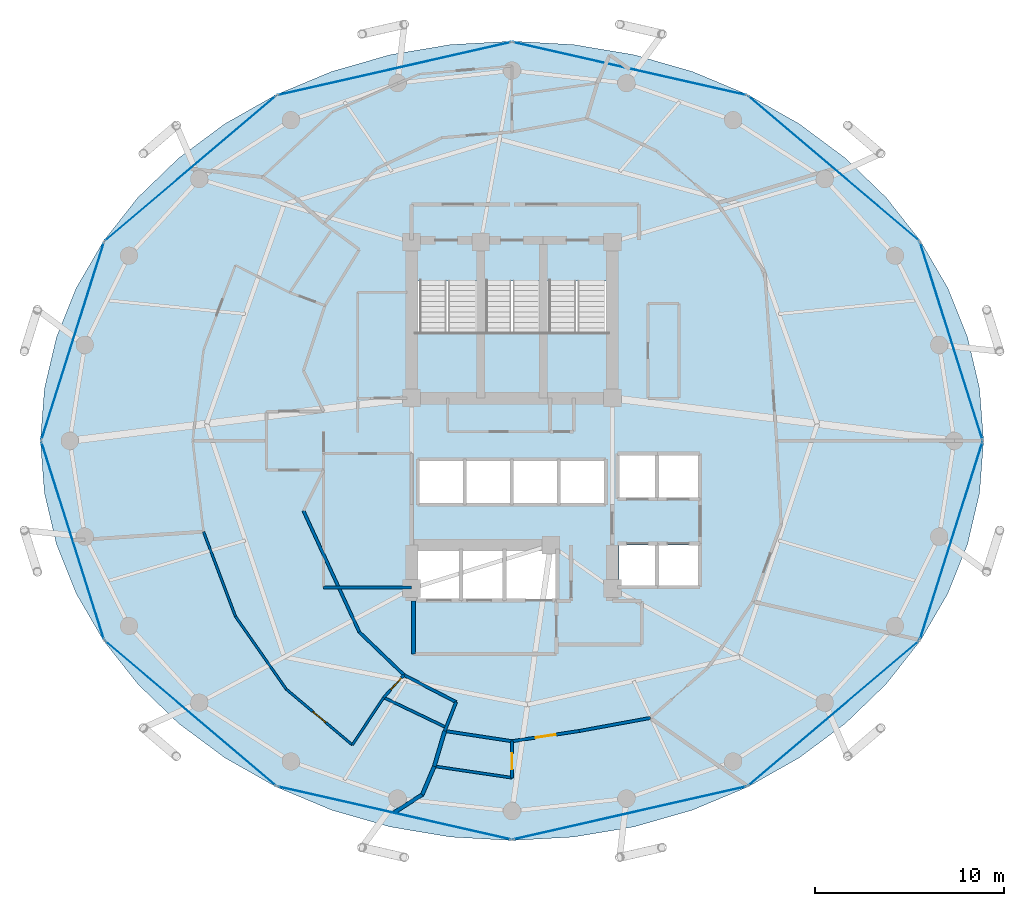
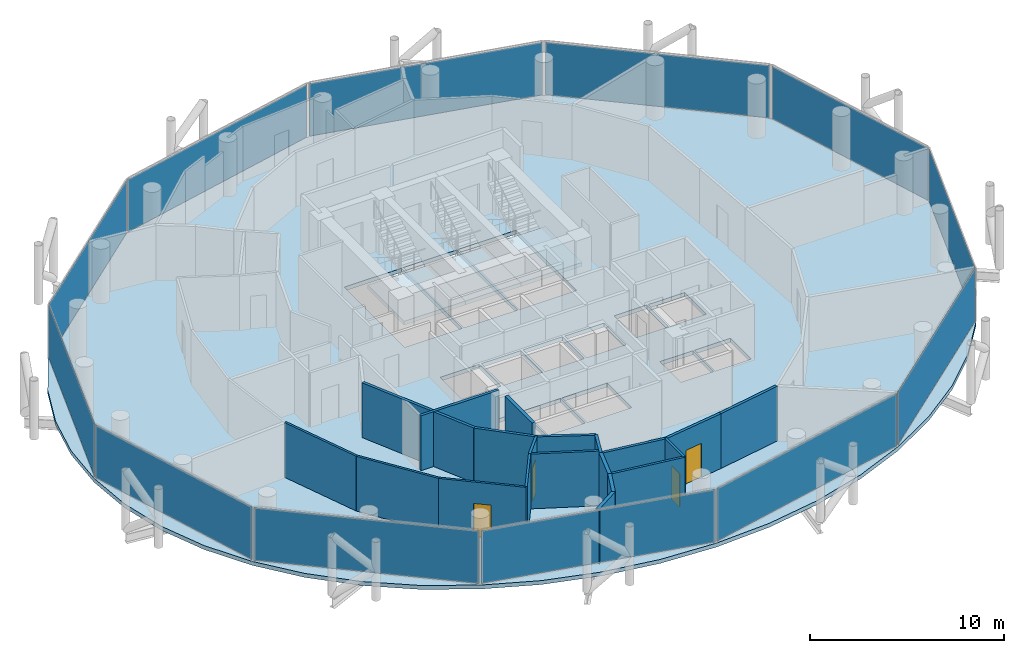
# One storey, part 21 of 26: 20 walls, 12 plates, 4 doors, 4 slabs, 4 openings, 15 elements without a shape of their own.
"""IFC4 building model written with IfcOpenShell, lengths in metres."""

from ifc_helpers import new_model, si_unit, direction, frame, frame_2d, origin, origin_2d, place, context, subcontext, project, spatial, polyline, rectangle, outline, extrude, material, layer, layer_set, type_object, element, fill, aggregate, save


model = new_model("IFC4")

# Units and contexts
model_context = context("Model", 3, precision=1e-05, world=origin(), true_north=direction((0.0, 1.0)))
body_context = subcontext(model_context, "Body", "Model", "MODEL_VIEW")
ifc_project = project(units=[si_unit("LENGTHUNIT", "METRE"), si_unit("AREAUNIT", "SQUARE_METRE"), si_unit("VOLUMEUNIT", "CUBIC_METRE"), si_unit("PLANEANGLEUNIT", "RADIAN"), si_unit("MASSUNIT", "GRAM", prefix="KILO")], contexts=[model_context])

# Site, building, storey
site_placement = place(None, origin())
site = spatial("IfcSite", under=ifc_project, at=site_placement, CompositionType="ELEMENT")
building_placement = place(site_placement, origin())
building = spatial("IfcBuilding", under=site, at=building_placement, Name="Nuhasar Tower", CompositionType="ELEMENT")
storey_placement = place(building_placement, frame((0.0, 0.0, 151.550048828125)))
storey = spatial("IfcBuildingStorey", under=building, at=storey_placement, Name="L36", CompositionType="ELEMENT", Elevation=151.550048828125)

# Curtain wall, plate
ifc_material_1 = material(Name="Aluminium 6063-T6", Category="aluminium")
ifc_layer_1 = layer(ifc_material_1, 0.199951171875)
ifc_layer_set_1 = layer_set([ifc_layer_1], Name="Aluminium 6063-T6")
curtain_wall_type = type_object("IfcCurtainWallType", Name="CW-Z2-HTL", PredefinedType="NOTDEFINED", material=ifc_layer_set_1)
curtain_wall_1_placement = place(storey_placement, origin())
curtain_wall_1 = element("IfcCurtainWall", 1, at=curtain_wall_1_placement, inside=storey, type_object=curtain_wall_type, Name="L36 Unitised Curtain Wall 01", PredefinedType="NOTDEFINED")
ifc_material_2 = material(Name="Glass Double Low-E", Category="glass")
ifc_layer_2 = layer(ifc_material_2, 0.028076171875)
ifc_layer_set_2 = layer_set([ifc_layer_2], Name="Glass Double Low-E")
plate_type = type_object("IfcPlateType", Name="CW-PANEL-GLZ", PredefinedType="CURTAIN_PANEL", material=ifc_layer_set_2)
plate_1_placement = place(storey_placement, frame((62.194580078125, 32.06494140625, 0.06982421875), z_axis=(0.0, 0.0, 1.0), x_axis=(-0.301603667577, 0.953433389233, 0.0)))
plate_1 = element("IfcPlate", 2, at=plate_1_placement, type_object=plate_type, Name="CW-Z2 panel 1.1", PredefinedType="CURTAIN_PANEL", context=body_context, shape_type="SweptSolid", body=[
    extrude(rectangle(XDim=10.904296875, YDim=0.028076171875, at=origin_2d()), origin(), (0.0, 0.0, 1.0), 3.31005859375),
])
aggregate(curtain_wall_1, [plate_1])

curtain_wall_2_placement = place(storey_placement, origin())
curtain_wall_2 = element("IfcCurtainWall", 3, at=curtain_wall_2_placement, inside=storey, type_object=curtain_wall_type, Name="L36 Unitised Curtain Wall 02", PredefinedType="NOTDEFINED")
plate_2_placement = place(storey_placement, frame((55.9794921875, 41.18408203125, 0.06982421875), z_axis=(0.0, 0.0, 1.0), x_axis=(-0.763020370292, 0.646374438324, 0.0)))
plate_2 = element("IfcPlate", 4, at=plate_2_placement, type_object=plate_type, Name="CW-Z2 panel 1.1", PredefinedType="CURTAIN_PANEL", context=body_context, shape_type="SweptSolid", body=[
    extrude(rectangle(XDim=11.784912109375, YDim=0.028076171875, at=origin_2d()), origin(), (0.0, 0.0, 1.0), 3.31005859375),
])
aggregate(curtain_wall_2, [plate_2])

curtain_wall_3_placement = place(storey_placement, origin())
curtain_wall_3 = element("IfcCurtainWall", 5, at=curtain_wall_3_placement, inside=storey, type_object=curtain_wall_type, Name="L36 Unitised Curtain Wall 03", PredefinedType="NOTDEFINED")
plate_3_placement = place(storey_placement, frame((45.215087890625, 46.448974609375, 0.06982421875), z_axis=(0.0, 0.0, 1.0), x_axis=(-0.975183694221, 0.22139729566, 0.0)))
plate_3 = element("IfcPlate", 6, at=plate_3_placement, type_object=plate_type, Name="CW-Z2 panel 1.1", PredefinedType="CURTAIN_PANEL", context=body_context, shape_type="SweptSolid", body=[
    extrude(rectangle(XDim=12.606201171875, YDim=0.028076171875, at=origin_2d()), origin(), (0.0, 0.0, 1.0), 3.31005859375),
])
aggregate(curtain_wall_3, [plate_3])

curtain_wall_4_placement = place(storey_placement, origin())
curtain_wall_4 = element("IfcCurtainWall", 7, at=curtain_wall_4_placement, inside=storey, type_object=curtain_wall_type, Name="L36 Unitised Curtain Wall 04", PredefinedType="NOTDEFINED")
plate_4_placement = place(storey_placement, frame((32.784912109375, 46.448974609375, 0.06982421875), z_axis=(0.0, 0.0, 1.0), x_axis=(-0.975183694221, -0.22139729566, 0.0)))
plate_4 = element("IfcPlate", 8, at=plate_4_placement, type_object=plate_type, Name="CW-Z2 panel 1.1", PredefinedType="CURTAIN_PANEL", context=body_context, shape_type="SweptSolid", body=[
    extrude(rectangle(XDim=12.606201171875, YDim=0.028076171875, at=origin_2d()), origin(), (0.0, 0.0, 1.0), 3.31005859375),
])
aggregate(curtain_wall_4, [plate_4])

curtain_wall_5_placement = place(storey_placement, origin())
curtain_wall_5 = element("IfcCurtainWall", 9, at=curtain_wall_5_placement, inside=storey, type_object=curtain_wall_type, Name="L36 Unitised Curtain Wall 05", PredefinedType="NOTDEFINED")
plate_5_placement = place(storey_placement, frame((22.0205078125, 41.18408203125, 0.06982421875), z_axis=(0.0, 0.0, 1.0), x_axis=(-0.763020370292, -0.646374438324, 0.0)))
plate_5 = element("IfcPlate", 10, at=plate_5_placement, type_object=plate_type, Name="CW-Z2 panel 1.1", PredefinedType="CURTAIN_PANEL", context=body_context, shape_type="SweptSolid", body=[
    extrude(rectangle(XDim=11.784912109375, YDim=0.028076171875, at=origin_2d()), origin(), (0.0, 0.0, 1.0), 3.31005859375),
])
aggregate(curtain_wall_5, [plate_5])

curtain_wall_6_placement = place(storey_placement, origin())
curtain_wall_6 = element("IfcCurtainWall", 11, at=curtain_wall_6_placement, inside=storey, type_object=curtain_wall_type, Name="L36 Unitised Curtain Wall 06", PredefinedType="NOTDEFINED")
plate_6_placement = place(storey_placement, frame((15.805419921875, 32.06494140625, 0.06982421875), z_axis=(0.0, 0.0, 1.0), x_axis=(-0.301603667577, -0.953433389233, 0.0)))
plate_6 = element("IfcPlate", 12, at=plate_6_placement, type_object=plate_type, Name="CW-Z2 panel 1.1", PredefinedType="CURTAIN_PANEL", context=body_context, shape_type="SweptSolid", body=[
    extrude(rectangle(XDim=10.904296875, YDim=0.028076171875, at=origin_2d()), origin(), (0.0, 0.0, 1.0), 3.31005859375),
])
aggregate(curtain_wall_6, [plate_6])

curtain_wall_7_placement = place(storey_placement, origin())
curtain_wall_7 = element("IfcCurtainWall", 13, at=curtain_wall_7_placement, inside=storey, type_object=curtain_wall_type, Name="L36 Unitised Curtain Wall 07", PredefinedType="NOTDEFINED")
plate_7_placement = place(storey_placement, frame((15.805419921875, 21.534912109375, 0.06982421875), z_axis=(0.0, 0.0, 1.0), x_axis=(0.301603667577, -0.953433389233, 0.0)))
plate_7 = element("IfcPlate", 14, at=plate_7_placement, type_object=plate_type, Name="CW-Z2 panel 1.1", PredefinedType="CURTAIN_PANEL", context=body_context, shape_type="SweptSolid", body=[
    extrude(rectangle(XDim=10.904296875, YDim=0.028076171875, at=origin_2d()), origin(), (0.0, 0.0, 1.0), 3.31005859375),
])
aggregate(curtain_wall_7, [plate_7])

curtain_wall_8_placement = place(storey_placement, origin())
curtain_wall_8 = element("IfcCurtainWall", 15, at=curtain_wall_8_placement, inside=storey, type_object=curtain_wall_type, Name="L36 Unitised Curtain Wall 08", PredefinedType="NOTDEFINED")
plate_8_placement = place(storey_placement, frame((22.0205078125, 12.416015625, 0.06982421875), z_axis=(0.0, 0.0, 1.0), x_axis=(0.763020370292, -0.646374438324, 0.0)))
plate_8 = element("IfcPlate", 16, at=plate_8_placement, type_object=plate_type, Name="CW-Z2 panel 1.1", PredefinedType="CURTAIN_PANEL", context=body_context, shape_type="SweptSolid", body=[
    extrude(rectangle(XDim=11.784912109375, YDim=0.028076171875, at=origin_2d()), origin(), (0.0, 0.0, 1.0), 3.31005859375),
])
aggregate(curtain_wall_8, [plate_8])

curtain_wall_9_placement = place(storey_placement, origin())
curtain_wall_9 = element("IfcCurtainWall", 17, at=curtain_wall_9_placement, inside=storey, type_object=curtain_wall_type, Name="L36 Unitised Curtain Wall 09", PredefinedType="NOTDEFINED")
plate_9_placement = place(storey_placement, frame((32.784912109375, 7.15087890625, 0.06982421875), z_axis=(0.0, 0.0, 1.0), x_axis=(0.975183694221, -0.22139729566, 0.0)))
plate_9 = element("IfcPlate", 18, at=plate_9_placement, type_object=plate_type, Name="CW-Z2 panel 1.1", PredefinedType="CURTAIN_PANEL", context=body_context, shape_type="SweptSolid", body=[
    extrude(rectangle(XDim=12.606201171875, YDim=0.028076171875, at=origin_2d()), origin(), (0.0, 0.0, 1.0), 3.31005859375),
])
aggregate(curtain_wall_9, [plate_9])

curtain_wall_10_placement = place(storey_placement, origin())
curtain_wall_10 = element("IfcCurtainWall", 19, at=curtain_wall_10_placement, inside=storey, type_object=curtain_wall_type, Name="L36 Unitised Curtain Wall 10", PredefinedType="NOTDEFINED")
plate_10_placement = place(storey_placement, frame((45.215087890625, 7.15087890625, 0.06982421875), z_axis=(0.0, 0.0, 1.0), x_axis=(0.975183694221, 0.22139729566, 0.0)))
plate_10 = element("IfcPlate", 20, at=plate_10_placement, type_object=plate_type, Name="CW-Z2 panel 1.1", PredefinedType="CURTAIN_PANEL", context=body_context, shape_type="SweptSolid", body=[
    extrude(rectangle(XDim=12.606201171875, YDim=0.028076171875, at=origin_2d()), origin(), (0.0, 0.0, 1.0), 3.31005859375),
])
aggregate(curtain_wall_10, [plate_10])

curtain_wall_11_placement = place(storey_placement, origin())
curtain_wall_11 = element("IfcCurtainWall", 21, at=curtain_wall_11_placement, inside=storey, type_object=curtain_wall_type, Name="L36 Unitised Curtain Wall 11", PredefinedType="NOTDEFINED")
plate_11_placement = place(storey_placement, frame((55.9794921875, 12.416015625, 0.06982421875), z_axis=(0.0, 0.0, 1.0), x_axis=(0.763020370292, 0.646374438324, 0.0)))
plate_11 = element("IfcPlate", 22, at=plate_11_placement, type_object=plate_type, Name="CW-Z2 panel 1.1", PredefinedType="CURTAIN_PANEL", context=body_context, shape_type="SweptSolid", body=[
    extrude(rectangle(XDim=11.784912109375, YDim=0.028076171875, at=origin_2d()), origin(), (0.0, 0.0, 1.0), 3.31005859375),
])
aggregate(curtain_wall_11, [plate_11])

curtain_wall_12_placement = place(storey_placement, origin())
curtain_wall_12 = element("IfcCurtainWall", 23, at=curtain_wall_12_placement, inside=storey, type_object=curtain_wall_type, Name="L36 Unitised Curtain Wall 12", PredefinedType="NOTDEFINED")
plate_12_placement = place(storey_placement, frame((62.194580078125, 21.534912109375, 0.06982421875), z_axis=(0.0, 0.0, 1.0), x_axis=(0.301603667577, 0.953433389233, 0.0)))
plate_12 = element("IfcPlate", 24, at=plate_12_placement, type_object=plate_type, Name="CW-Z2 panel 1.1", PredefinedType="CURTAIN_PANEL", context=body_context, shape_type="SweptSolid", body=[
    extrude(rectangle(XDim=10.904296875, YDim=0.028076171875, at=origin_2d()), origin(), (0.0, 0.0, 1.0), 3.31005859375),
])
aggregate(curtain_wall_12, [plate_12])

# Stair, slab
ifc_material_3 = material(Name="Concrete C45/55", Category="concrete")
stair_type_1 = type_object("IfcStairType", Name="STR-ST-01-2F-22R-1682", PredefinedType="HALF_TURN_STAIR", material=ifc_material_3)
stair_1_placement = place(storey_placement, origin())
stair_1 = element("IfcStair", 25, at=stair_1_placement, inside=storey, type_object=stair_type_1, Name="L36 Exit Stair ST-01", PredefinedType="HALF_TURN_STAIR")
ifc_layer_3 = layer(ifc_material_3, 0.239990234375)
ifc_layer_set_3 = layer_set([ifc_layer_3], Name="Concrete C45/55")
slab_type_1 = type_object("IfcSlabType", Name="SLB-STAIR-LND-240", PredefinedType="LANDING", material=ifc_layer_set_3)
slab_1_placement = place(storey_placement, frame((0.0, 0.0, 1.60986328125)))
slab_1 = element("IfcSlab", 26, at=slab_1_placement, type_object=slab_type_1, Name="ST-01 landing 1", PredefinedType="LANDING", context=body_context, shape_type="SweptSolid", body=[
    extrude(outline(polyline([(33.699951171875, 28.75), (37.35009765625, 28.75), (37.35009765625, 32.52001953125), (33.699951171875, 32.52001953125), (33.699951171875, 28.75)])), origin(), (0.0, 0.0, 1.0), 0.239990234375),
])
aggregate(stair_1, [slab_1])

stair_type_2 = type_object("IfcStairType", Name="STR-ST-03-2F-22R-1682", PredefinedType="HALF_TURN_STAIR", material=ifc_material_3)
stair_2_placement = place(storey_placement, origin())
stair_2 = element("IfcStair", 27, at=stair_2_placement, inside=storey, type_object=stair_type_2, Name="L36 Exit Stair ST-03", PredefinedType="HALF_TURN_STAIR")
slab_2_placement = place(storey_placement, frame((0.0, 0.0, 1.60986328125)))
slab_2 = element("IfcSlab", 28, at=slab_2_placement, type_object=slab_type_1, Name="ST-03 landing 1", PredefinedType="LANDING", context=body_context, shape_type="SweptSolid", body=[
    extrude(outline(polyline([(37.35009765625, 28.75), (40.64990234375, 28.75), (40.64990234375, 32.52001953125), (37.35009765625, 32.52001953125), (37.35009765625, 28.75)])), origin(), (0.0, 0.0, 1.0), 0.239990234375),
])
aggregate(stair_2, [slab_2])

stair_type_3 = type_object("IfcStairType", Name="STR-ST-02-2F-22R-1682", PredefinedType="HALF_TURN_STAIR", material=ifc_material_3)
stair_3_placement = place(storey_placement, origin())
stair_3 = element("IfcStair", 29, at=stair_3_placement, inside=storey, type_object=stair_type_3, Name="L36 Exit Stair ST-02", PredefinedType="HALF_TURN_STAIR")
slab_3_placement = place(storey_placement, frame((0.0, 0.0, 1.60986328125)))
slab_3 = element("IfcSlab", 30, at=slab_3_placement, type_object=slab_type_1, Name="ST-02 landing 1", PredefinedType="LANDING", context=body_context, shape_type="SweptSolid", body=[
    extrude(outline(polyline([(40.64990234375, 28.75), (44.300048828125, 28.75), (44.300048828125, 32.52001953125), (40.64990234375, 32.52001953125), (40.64990234375, 28.75)])), origin(), (0.0, 0.0, 1.0), 0.239990234375),
])
aggregate(stair_3, [slab_3])

# Slab
ifc_layer_4 = layer(ifc_material_3, 0.25)
ifc_layer_set_4 = layer_set([ifc_layer_4], Name="Concrete C45/55")
slab_type_2 = type_object("IfcSlabType", Name="SLB-Z1B-250", PredefinedType="FLOOR", material=ifc_layer_set_4)
slab_4_placement = place(storey_placement, frame((0.0, 0.0, -0.25)))
element("IfcSlab", 31, at=slab_4_placement, inside=storey, type_object=slab_type_2, Name="L36 Structural Slab", PredefinedType="FLOOR", context=body_context, shape_type="SweptSolid", body=[
    extrude(outline(polyline([(63.89990234375, 26.800048828125), (63.68701171875, 29.553955078125), (63.052001953125, 32.260986328125), (62.0048828125, 34.875), (60.56396484375, 37.35009765625), (58.75390625, 39.64501953125), (56.60693359375, 41.719970703125), (54.157958984375, 43.5400390625), (51.449951171875, 45.072998046875), (48.529052734375, 46.2939453125), (45.445068359375, 47.180908203125), (42.25, 47.718994140625), (39.0, 47.89990234375), (35.75, 47.718994140625), (32.554931640625, 47.180908203125), (29.470947265625, 46.2939453125), (26.550048828125, 45.072998046875), (23.842041015625, 43.5400390625), (21.39306640625, 41.719970703125), (19.24609375, 39.64501953125), (17.43603515625, 37.35009765625), (15.9951171875, 34.875), (14.947998046875, 32.260986328125), (14.31298828125, 29.553955078125), (14.10009765625, 26.800048828125), (14.31298828125, 24.0458984375), (14.947998046875, 21.339111328125), (15.9951171875, 18.72509765625), (17.43603515625, 16.25), (19.24609375, 13.955078125), (21.39306640625, 11.8798828125), (23.842041015625, 10.06005859375), (26.550048828125, 8.527099609375), (29.470947265625, 7.305908203125), (32.554931640625, 6.4189453125), (35.75, 5.881103515625), (39.0, 5.699951171875), (42.25, 5.881103515625), (45.445068359375, 6.4189453125), (48.529052734375, 7.305908203125), (51.449951171875, 8.527099609375), (54.157958984375, 10.06005859375), (56.60693359375, 11.8798828125), (58.75390625, 13.955078125), (60.56396484375, 16.25), (62.0048828125, 18.72509765625), (63.052001953125, 21.339111328125), (63.68701171875, 24.0458984375), (63.89990234375, 26.800048828125)]), holes=[polyline([(33.8798828125, 35.25), (37.300048828125, 35.25), (37.300048828125, 29.0), (33.8798828125, 29.0), (33.8798828125, 35.25)]), polyline([(37.39990234375, 35.25), (40.60009765625, 35.25), (40.60009765625, 29.0), (37.39990234375, 29.0), (37.39990234375, 35.25)]), polyline([(40.699951171875, 35.25), (44.1201171875, 35.25), (44.1201171875, 29.0), (40.699951171875, 29.0), (40.699951171875, 35.25)]), polyline([(44.64990234375, 26.050048828125), (46.60009765625, 26.050048828125), (46.60009765625, 23.800048828125), (44.64990234375, 23.800048828125), (44.64990234375, 26.050048828125)]), polyline([(46.699951171875, 26.050048828125), (48.85009765625, 26.050048828125), (48.85009765625, 23.800048828125), (46.699951171875, 23.800048828125), (46.699951171875, 26.050048828125)]), polyline([(44.64990234375, 21.300048828125), (46.60009765625, 21.300048828125), (46.60009765625, 19.14990234375), (44.64990234375, 19.14990234375), (44.64990234375, 21.300048828125)]), polyline([(46.699951171875, 21.300048828125), (48.85009765625, 21.300048828125), (48.85009765625, 19.14990234375), (46.699951171875, 19.14990234375), (46.699951171875, 21.300048828125)]), polyline([(34.10009765625, 25.75), (36.43994140625, 25.75), (36.43994140625, 23.5), (34.10009765625, 23.5), (34.10009765625, 25.75)]), polyline([(36.580078125, 25.75), (38.919921875, 25.75), (38.919921875, 23.5), (36.580078125, 23.5), (36.580078125, 25.75)]), polyline([(39.06005859375, 25.75), (41.39990234375, 25.75), (41.39990234375, 23.5), (39.06005859375, 23.5), (39.06005859375, 25.75)]), polyline([(41.5400390625, 25.75), (43.8798828125, 25.75), (43.8798828125, 23.5), (41.5400390625, 23.5), (41.5400390625, 25.75)]), polyline([(34.050048828125, 21.0), (36.25, 21.0), (36.25, 18.449951171875), (34.050048828125, 18.449951171875), (34.050048828125, 21.0)]), polyline([(36.35009765625, 21.0), (38.550048828125, 21.0), (38.550048828125, 18.449951171875), (36.35009765625, 18.449951171875), (36.35009765625, 21.0)]), polyline([(38.64990234375, 21.0), (41.320068359375, 21.0), (41.320068359375, 18.449951171875), (38.64990234375, 18.449951171875), (38.64990234375, 21.0)])]), origin(), (0.0, 0.0, 1.0), 0.25),
])

# Walls
ifc_material_4 = material(Name="Gypsum Board", Category="gypsum")
ifc_layer_5 = layer(ifc_material_4, 0.159912109375)
ifc_layer_set_5 = layer_set([ifc_layer_5], Name="Gypsum Board")
wall_type_1 = type_object("IfcWallType", Name="WL-CORR-160", PredefinedType="PARTITIONING", material=ifc_layer_set_5)
wall_1_placement = place(storey_placement, frame((29.050048828125, 19.050048828125, 0.0), z_axis=(0.0, 0.0, 1.0), x_axis=(1.0, 0.0, 0.0)))
element("IfcWall", 32, at=wall_1_placement, inside=storey, type_object=wall_type_1, Name="L36 Interior Partition RECL-B1-S", PredefinedType="PARTITIONING", context=body_context, shape_type="SweptSolid", body=[
    extrude(rectangle(XDim=4.64990234375, YDim=0.159912109375, at=frame_2d((2.324951171875, 0.0))), origin(), (0.0, 0.0, 1.0), 3.449951171875),
])
wall_2_placement = place(storey_placement, frame((35.448974609375, 11.47998046875, 0.0), z_axis=(0.0, 0.0, 1.0), x_axis=(0.988632678439, -0.150351013043, 0.0)))
element("IfcWall", 33, at=wall_2_placement, inside=storey, type_object=wall_type_1, Name="L36 Interior Partition CORR-34", PredefinedType="PARTITIONING", context=body_context, shape_type="SweptSolid", body=[
    extrude(rectangle(XDim=3.591796875, YDim=0.159912109375, at=frame_2d((1.7958984375, 0.0))), origin(), (0.0, 0.0, 1.0), 3.449951171875),
])

# Wall, opening, door
wall_3_placement = place(storey_placement, frame((42.551025390625, 11.47998046875, 0.0), z_axis=(0.0, 0.0, 1.0), x_axis=(-0.988632678439, -0.150351013043, 0.0)))
wall_3 = element("IfcWall", 34, at=wall_3_placement, inside=storey, type_object=wall_type_1, Name="L36 Interior Partition CORR-36", PredefinedType="PARTITIONING", context=body_context, shape_type="SweptSolid", body=[
    extrude(rectangle(XDim=3.591796875, YDim=0.159912109375, at=frame_2d((1.7958984375, 0.0))), origin(), (0.0, 0.0, 1.0), 3.449951171875),
])
opening_1_placement = place(wall_3_placement, frame((1.27099609375, 0.0, 0.0)))
opening_1 = element("IfcOpeningElement", 35, at=opening_1_placement, cuts=wall_3, Name="Opening DU-01", PredefinedType="OPENING", context=body_context, shape_type="SweptSolid", body=[
    extrude(rectangle(XDim=1.050048828125, YDim=2.14990234375, at=frame_2d((0.52490234375, 1.074951171875))), frame((0.0, 0.08984375, 0.0), z_axis=(0.0, -1.0, 0.0), x_axis=(1.0, 0.0, 0.0)), (0.0, 0.0, 1.0), 0.179931640625),
])
ifc_material_5 = material(Name="Timber Oak", Category="wood")
door_type_1 = type_object("IfcDoorType", Name="DR-SUITE-FD60-1050", OperationType="NOTDEFINED", PredefinedType="DOOR", material=ifc_material_5)
door_1_placement = place(opening_1_placement, origin())
door_1 = element("IfcDoor", 36, at=door_1_placement, inside=storey, type_object=door_type_1, Name="L36 Thermal Sanctuary Suite 01 Entrance Door", OperationType="SINGLE_SWING_LEFT", OverallHeight=2.14990234375, OverallWidth=1.050048828125, PredefinedType="DOOR", context=body_context, shape_type="SweptSolid", body=[
    extrude(rectangle(XDim=1.050048828125, YDim=2.14990234375, at=frame_2d((0.52490234375, 1.074951171875))), frame((0.0, 0.02490234375, 0.0), z_axis=(0.0, -1.0, 0.0), x_axis=(1.0, 0.0, 0.0)), (0.0, 0.0, 1.0), 0.050048828125),
])
fill(opening_1, door_1)

# Walls
wall_4_placement = place(storey_placement, frame((42.551025390625, 11.47998046875, 0.0), z_axis=(0.0, 0.0, 1.0), x_axis=(0.983542993076, 0.180674239368, 0.0)))
element("IfcWall", 37, at=wall_4_placement, inside=storey, type_object=wall_type_1, Name="L36 Interior Partition CORR-38", PredefinedType="PARTITIONING", context=body_context, shape_type="SweptSolid", body=[
    extrude(rectangle(XDim=3.818603515625, YDim=0.159912109375, at=frame_2d((1.9091796875, 0.0))), origin(), (0.0, 0.0, 1.0), 3.449951171875),
])
wall_5_placement = place(storey_placement, frame((36.049072265625, 13.007080078125, 0.0), z_axis=(0.0, 0.0, 1.0), x_axis=(-0.365739839664, -0.930717126566, 0.0)))
element("IfcWall", 38, at=wall_5_placement, inside=storey, type_object=wall_type_1, Name="L36 Interior Partition HRAD-34-IN", PredefinedType="PARTITIONING", context=body_context, shape_type="SweptSolid", body=[
    extrude(rectangle(XDim=1.640869140625, YDim=0.159912109375, at=frame_2d((0.8203125, 0.0))), origin(), (0.0, 0.0, 1.0), 3.449951171875),
])
wall_6_placement = place(storey_placement, frame((27.988037109375, 23.10400390625, 0.0), z_axis=(0.0, 0.0, 1.0), x_axis=(0.418656179426, -0.908144814128, 0.0)))
element("IfcWall", 39, at=wall_6_placement, inside=storey, type_object=wall_type_1, Name="L36 Interior Partition HWEST-CORE-S1-26", PredefinedType="PARTITIONING", context=body_context, shape_type="SweptSolid", body=[
    extrude(rectangle(XDim=7.048583984375, YDim=0.159912109375, at=frame_2d((3.5244140625, 0.0))), origin(), (0.0, 0.0, 1.0), 3.449951171875),
])
wall_7_placement = place(storey_placement, frame((30.93896484375, 16.702880859375, 0.0), z_axis=(0.0, 0.0, 1.0), x_axis=(0.72090897908, -0.693029756851, 0.0)))
element("IfcWall", 40, at=wall_7_placement, inside=storey, type_object=wall_type_1, Name="L36 Interior Partition HWEST-CORE-S2-30", PredefinedType="PARTITIONING", context=body_context, shape_type="SweptSolid", body=[
    extrude(rectangle(XDim=3.275146484375, YDim=0.159912109375, at=frame_2d((1.6376953125, 0.0))), origin(), (0.0, 0.0, 1.0), 3.449951171875),
])
wall_8_placement = place(storey_placement, frame((33.300048828125, 14.43310546875, 0.0), z_axis=(0.0, 0.0, 1.0), x_axis=(0.887674575788, -0.460471331898, 0.0)))
element("IfcWall", 41, at=wall_8_placement, inside=storey, type_object=wall_type_1, Name="L36 Interior Partition HWEST-CORE-S2-32", PredefinedType="PARTITIONING", context=body_context, shape_type="SweptSolid", body=[
    extrude(rectangle(XDim=3.096923828125, YDim=0.159912109375, at=frame_2d((1.54833984375, 0.0))), origin(), (0.0, 0.0, 1.0), 3.449951171875),
])
ifc_layer_6 = layer(ifc_material_3, 0.199951171875)
ifc_layer_set_6 = layer_set([ifc_layer_6], Name="Concrete C45/55")
wall_type_2 = type_object("IfcWallType", Name="WL-LOBBY-200", PredefinedType="SOLIDWALL", material=ifc_layer_set_6)
wall_9_placement = place(storey_placement, frame((33.800048828125, 15.550048828125, 0.0), z_axis=(0.0, 0.0, 1.0), x_axis=(0.0, 1.0, 0.0)))
element("IfcWall", 42, at=wall_9_placement, inside=storey, type_object=wall_type_2, Name="L36 Interior Partition FFL-W", PredefinedType="SOLIDWALL", context=body_context, shape_type="SweptSolid", body=[
    extrude(rectangle(XDim=2.800048828125, YDim=0.199951171875, at=frame_2d((1.39990234375, 0.0))), origin(), (0.0, 0.0, 1.0), 3.449951171875),
])
ifc_layer_7 = layer(ifc_material_4, 0.125)
ifc_layer_set_7 = layer_set([ifc_layer_7], Name="Gypsum Board")
wall_type_3 = type_object("IfcWallType", Name="WL-PART-125", PredefinedType="PARTITIONING", material=ifc_layer_set_7)
wall_10_placement = place(storey_placement, frame((32.22509765625, 13.2470703125, 0.0), z_axis=(0.0, 0.0, 1.0), x_axis=(-0.551523216301, -0.834159542223, 0.0)))
element("IfcWall", 43, at=wall_10_placement, inside=storey, type_object=wall_type_3, Name="L36 Interior Partition HWS2-N", PredefinedType="PARTITIONING", context=body_context, shape_type="SweptSolid", body=[
    extrude(rectangle(XDim=3.000732421875, YDim=0.125, at=frame_2d((1.50048828125, 0.0))), origin(), (0.0, 0.0, 1.0), 3.449951171875),
])
wall_11_placement = place(storey_placement, frame((22.714111328125, 22.0009765625, 0.0), z_axis=(0.0, 0.0, 1.0), x_axis=(0.352629336954, -0.935763084717, 0.0)))
element("IfcWall", 44, at=wall_11_placement, inside=storey, type_object=wall_type_3, Name="L36 Interior Partition HWS2-ARC-26", PredefinedType="PARTITIONING", context=body_context, shape_type="SweptSolid", body=[
    extrude(rectangle(XDim=4.77783203125, YDim=0.125, at=frame_2d((2.388916015625, 0.0))), origin(), (0.0, 0.0, 1.0), 3.449951171875),
])
wall_12_placement = place(storey_placement, frame((24.39892578125, 17.530029296875, 0.0), z_axis=(0.0, 0.0, 1.0), x_axis=(0.572156311814, -0.820144593868, 0.0)))
element("IfcWall", 45, at=wall_12_placement, inside=storey, type_object=wall_type_3, Name="L36 Interior Partition HWS2-ARC-28", PredefinedType="PARTITIONING", context=body_context, shape_type="SweptSolid", body=[
    extrude(rectangle(XDim=4.68212890625, YDim=0.125, at=frame_2d((2.341064453125, 0.0))), origin(), (0.0, 0.0, 1.0), 3.449951171875),
])

# Wall, opening, door
wall_13_placement = place(storey_placement, frame((27.077880859375, 13.68994140625, 0.0), z_axis=(0.0, 0.0, 1.0), x_axis=(0.764344154591, -0.64480850905, 0.0)))
wall_13 = element("IfcWall", 46, at=wall_13_placement, inside=storey, type_object=wall_type_3, Name="L36 Interior Partition HWS2-ARC-30", PredefinedType="PARTITIONING", context=body_context, shape_type="SweptSolid", body=[
    extrude(rectangle(XDim=4.56884765625, YDim=0.125, at=frame_2d((2.284423828125, 0.0))), origin(), (0.0, 0.0, 1.0), 3.449951171875),
])
opening_2_placement = place(wall_13_placement, frame((1.833984375, 0.0, 0.0)))
opening_2 = element("IfcOpeningElement", 47, at=opening_2_placement, cuts=wall_13, Name="Opening DR-01", PredefinedType="OPENING", context=body_context, shape_type="SweptSolid", body=[
    extrude(rectangle(XDim=0.89990234375, YDim=2.10009765625, at=frame_2d((0.449951171875, 1.050048828125))), frame((0.0, 0.072509765625, 0.0), z_axis=(0.0, -1.0, 0.0), x_axis=(1.0, 0.0, 0.0)), (0.0, 0.0, 1.0), 0.14501953125),
])
door_type_2 = type_object("IfcDoorType", Name="DR-ROOM-900", OperationType="NOTDEFINED", PredefinedType="DOOR", material=ifc_material_5)
door_2_placement = place(opening_2_placement, origin())
door_2 = element("IfcDoor", 48, at=door_2_placement, inside=storey, type_object=door_type_2, Name="L36 South-West Presidential Suite Bedroom Door", OperationType="SINGLE_SWING_RIGHT", OverallHeight=2.10009765625, OverallWidth=0.89990234375, PredefinedType="DOOR", context=body_context, shape_type="SweptSolid", body=[
    extrude(rectangle(XDim=0.89990234375, YDim=2.10009765625, at=frame_2d((0.449951171875, 1.050048828125))), frame((0.0, 0.02490234375, 0.0), z_axis=(0.0, -1.0, 0.0), x_axis=(1.0, 0.0, 0.0)), (0.0, 0.0, 1.0), 0.050048828125),
])
fill(opening_2, door_2)

# Walls
ifc_material_6 = material(Name="Concrete C40/50 precast", Category="concrete")
ifc_layer_8 = layer(ifc_material_6, 0.199951171875)
ifc_layer_set_8 = layer_set([ifc_layer_8], Name="Concrete C40/50 precast")
wall_type_4 = type_object("IfcWallType", Name="WL-UNIT-200", PredefinedType="PARTITIONING", material=ifc_layer_set_8)
wall_14_placement = place(storey_placement, frame((35.448974609375, 11.47998046875, 0.0), z_axis=(0.0, 0.0, 1.0), x_axis=(-0.283485285535, -0.958976586203, 0.0)))
element("IfcWall", 49, at=wall_14_placement, inside=storey, type_object=wall_type_4, Name="L36 Interior Partition HRAD-34-OUT-S1", PredefinedType="PARTITIONING", context=body_context, shape_type="SweptSolid", body=[
    extrude(rectangle(XDim=1.94384765625, YDim=0.199951171875, at=frame_2d((0.971923828125, 0.0))), origin(), (0.0, 0.0, 1.0), 3.449951171875),
])
wall_15_placement = place(storey_placement, frame((34.89794921875, 9.615966796875, 0.0), z_axis=(0.0, 0.0, 1.0), x_axis=(-0.389982878965, -0.920822107746, 0.0)))
element("IfcWall", 50, at=wall_15_placement, inside=storey, type_object=wall_type_4, Name="L36 Interior Partition HRAD-34-OUT-S2", PredefinedType="PARTITIONING", context=body_context, shape_type="SweptSolid", body=[
    extrude(rectangle(XDim=1.625732421875, YDim=0.199951171875, at=frame_2d((0.81298828125, 0.0))), origin(), (0.0, 0.0, 1.0), 3.449951171875),
])
wall_16_placement = place(storey_placement, frame((34.263916015625, 8.118896484375, 0.0), z_axis=(0.0, 0.0, 1.0), x_axis=(-0.843823030376, -0.536621555109, 0.0)))
element("IfcWall", 51, at=wall_16_placement, inside=storey, type_object=wall_type_4, Name="L36 Interior Partition HRAD-34-OUT-S3", PredefinedType="PARTITIONING", context=body_context, shape_type="SweptSolid", body=[
    extrude(rectangle(XDim=1.741943359375, YDim=0.199951171875, at=frame_2d((0.87109375, 0.0))), origin(), (0.0, 0.0, 1.0), 3.449951171875),
])

# Wall, opening, door
ifc_layer_9 = layer(ifc_material_6, 0.139892578125)
ifc_layer_set_9 = layer_set([ifc_layer_9], Name="Concrete C40/50 precast")
wall_type_5 = type_object("IfcWallType", Name="WL-WET-140", PredefinedType="PARTITIONING", material=ifc_layer_set_9)
wall_17_placement = place(storey_placement, frame((39.0, 10.93994140625, 0.0), z_axis=(0.0, 0.0, 1.0), x_axis=(0.0, -1.0, 0.0)))
wall_17 = element("IfcWall", 52, at=wall_17_placement, inside=storey, type_object=wall_type_5, Name="L36 Interior Partition HBW-01", PredefinedType="PARTITIONING", context=body_context, shape_type="SweptSolid", body=[
    extrude(rectangle(XDim=1.929931640625, YDim=0.139892578125, at=frame_2d((0.96484375, 0.0))), origin(), (0.0, 0.0, 1.0), 3.449951171875),
])
opening_3_placement = place(wall_17_placement, frame((0.635986328125, 0.0, 0.0)))
opening_3 = element("IfcOpeningElement", 53, at=opening_3_placement, cuts=wall_17, Name="Opening DB-01", PredefinedType="OPENING", context=body_context, shape_type="SweptSolid", body=[
    extrude(rectangle(XDim=0.85009765625, YDim=2.10009765625, at=frame_2d((0.425048828125, 1.050048828125))), frame((0.0, 0.080078125, 0.0), z_axis=(0.0, -1.0, 0.0), x_axis=(1.0, 0.0, 0.0)), (0.0, 0.0, 1.0), 0.159912109375),
])
door_type_3 = type_object("IfcDoorType", Name="DR-BATH-850", OperationType="NOTDEFINED", PredefinedType="DOOR", material=ifc_material_5)
door_3_placement = place(opening_3_placement, origin())
door_3 = element("IfcDoor", 54, at=door_3_placement, inside=storey, type_object=door_type_3, Name="L36 Thermal Sanctuary Suite 01 En-Suite Door", OperationType="SINGLE_SWING_RIGHT", OverallHeight=2.10009765625, OverallWidth=0.85009765625, PredefinedType="DOOR", context=body_context, shape_type="SweptSolid", body=[
    extrude(rectangle(XDim=0.85009765625, YDim=2.10009765625, at=frame_2d((0.425048828125, 1.050048828125))), frame((0.0, 0.02490234375, 0.0), z_axis=(0.0, -1.0, 0.0), x_axis=(1.0, 0.0, 0.0)), (0.0, 0.0, 1.0), 0.050048828125),
])
fill(opening_3, door_3)

# Wall
wall_18_placement = place(storey_placement, frame((34.89794921875, 9.615966796875, 0.0), z_axis=(0.0, 0.0, 1.0), x_axis=(0.989264703479, -0.146134685992, 0.0)))
element("IfcWall", 55, at=wall_18_placement, inside=storey, type_object=wall_type_5, Name="L36 Interior Partition HBF-01-34", PredefinedType="PARTITIONING", context=body_context, shape_type="SweptSolid", body=[
    extrude(rectangle(XDim=4.146484375, YDim=0.139892578125, at=frame_2d((2.0732421875, 0.0))), origin(), (0.0, 0.0, 1.0), 3.449951171875),
])

# Wall, opening, door
wall_19_placement = place(storey_placement, frame((33.300048828125, 14.43310546875, 0.0), z_axis=(0.0, 0.0, 1.0), x_axis=(-0.671556062003, -0.740953747266, 0.0)))
wall_19 = element("IfcWall", 56, at=wall_19_placement, inside=storey, type_object=wall_type_5, Name="L36 Interior Partition HBW2-N", PredefinedType="PARTITIONING", context=body_context, shape_type="SweptSolid", body=[
    extrude(rectangle(XDim=1.6005859375, YDim=0.139892578125, at=frame_2d((0.80029296875, 0.0))), origin(), (0.0, 0.0, 1.0), 3.449951171875),
])
opening_4_placement = place(wall_19_placement, frame((0.199951171875, 0.0, 0.0)))
opening_4 = element("IfcOpeningElement", 57, at=opening_4_placement, cuts=wall_19, Name="Opening DB-01", PredefinedType="OPENING", context=body_context, shape_type="SweptSolid", body=[
    extrude(rectangle(XDim=0.85009765625, YDim=2.10009765625, at=frame_2d((0.425048828125, 1.050048828125))), frame((0.0, 0.080078125, 0.0), z_axis=(0.0, -1.0, 0.0), x_axis=(1.0, 0.0, 0.0)), (0.0, 0.0, 1.0), 0.159912109375),
])
door_4_placement = place(opening_4_placement, origin())
door_4 = element("IfcDoor", 58, at=door_4_placement, inside=storey, type_object=door_type_3, Name="L36 South-West Presidential Suite En-Suite Door", OperationType="SINGLE_SWING_LEFT", OverallHeight=2.10009765625, OverallWidth=0.85009765625, PredefinedType="DOOR", context=body_context, shape_type="SweptSolid", body=[
    extrude(rectangle(XDim=0.85009765625, YDim=2.10009765625, at=frame_2d((0.425048828125, 1.050048828125))), frame((0.0, 0.02490234375, 0.0), z_axis=(0.0, -1.0, 0.0), x_axis=(1.0, 0.0, 0.0)), (0.0, 0.0, 1.0), 0.050048828125),
])
fill(opening_4, door_4)

# Wall
wall_20_placement = place(storey_placement, frame((32.22509765625, 13.2470703125, 0.0), z_axis=(0.0, 0.0, 1.0), x_axis=(0.902016722043, -0.431701092372, 0.0)))
element("IfcWall", 59, at=wall_20_placement, inside=storey, type_object=wall_type_5, Name="L36 Interior Partition HBW2-E", PredefinedType="PARTITIONING", context=body_context, shape_type="SweptSolid", body=[
    extrude(rectangle(XDim=3.622802734375, YDim=0.139892578125, at=frame_2d((1.8115234375, 0.0))), origin(), (0.0, 0.0, 1.0), 3.449951171875),
])

save(model, "model.ifc")
